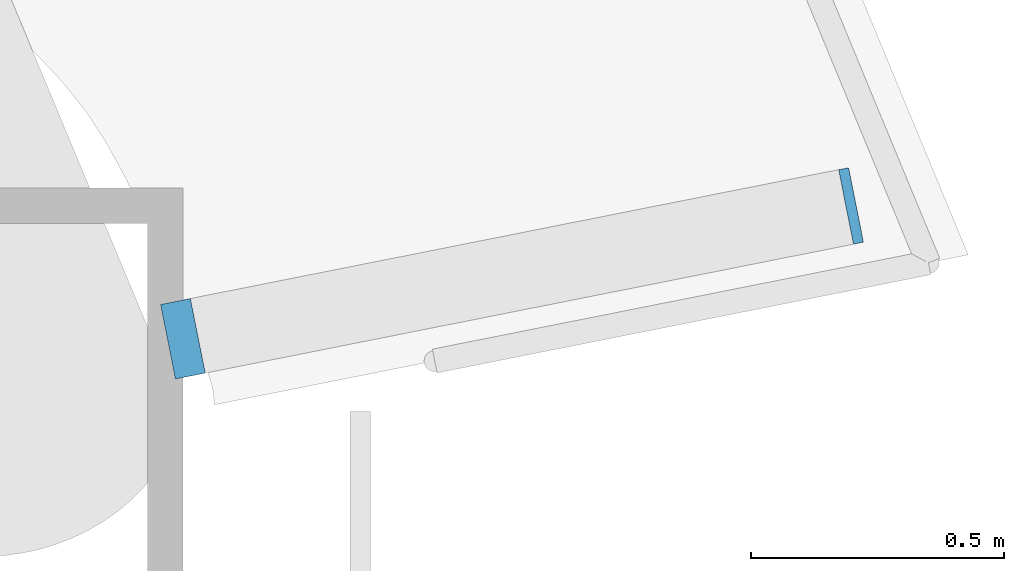
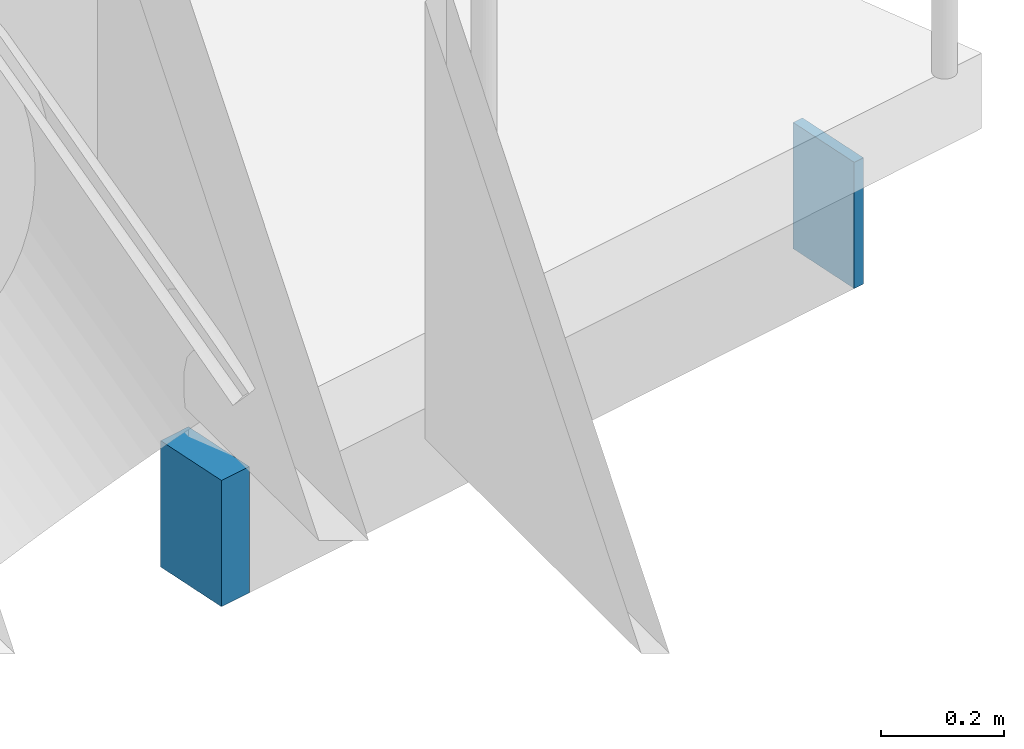
# One storey, part 22 of 30: 2 discrete accessories.
"""IFC4 building model written with IfcOpenShell, lengths in metres."""

from ifc_helpers import new_model, si_unit, direction, frame, origin, origin_2d, place, context, subcontext, project, spatial, rectangle, extrude, material, layer, layer_set, type_object, element, save


model = new_model("IFC4")

# Units and contexts
model_context = context("Model", 3, precision=1e-05, world=origin(), true_north=direction((0.0, 1.0)))
body_context = subcontext(model_context, "Body", "Model", "MODEL_VIEW")
ifc_project = project(units=[si_unit("LENGTHUNIT", "METRE"), si_unit("AREAUNIT", "SQUARE_METRE"), si_unit("VOLUMEUNIT", "CUBIC_METRE"), si_unit("PLANEANGLEUNIT", "RADIAN"), si_unit("MASSUNIT", "GRAM", prefix="KILO")], contexts=[model_context])

# Site, building, storey
site_placement = place(None, origin())
site = spatial("IfcSite", under=ifc_project, at=site_placement, CompositionType="ELEMENT")
building_placement = place(site_placement, origin())
building = spatial("IfcBuilding", under=site, at=building_placement, Name="Siwar Civic Tower", CompositionType="ELEMENT")
storey_placement = place(building_placement, frame((0.0, 0.0, 26.699951171875)))
storey = spatial("IfcBuildingStorey", under=building, at=storey_placement, Name="L05", CompositionType="ELEMENT", Elevation=26.699951171875)

# Discrete accessories
ifc_material_1 = material(Name="Stainless steel 316", Category="steel")
discrete_accessory_type_1 = type_object("IfcDiscreteAccessoryType", Name="ENV-BRACKET", PredefinedType="BRACKET", material=ifc_material_1)
discrete_accessory_1_placement = place(storey_placement, frame((32.050048828125, 22.752197265625, -0.39990234375), z_axis=(0.0, 0.0, 1.0), x_axis=(0.980785280403, 0.195090322016, 0.0)))
element("IfcDiscreteAccessory", 1, at=discrete_accessory_1_placement, inside=storey, type_object=discrete_accessory_type_1, Name="Bracket balcony cantilever beam NE 1", PredefinedType="BRACKET", context=body_context, shape_type="SweptSolid", body=[
    extrude(rectangle(XDim=0.06005859375, YDim=0.14990234375, at=origin_2d()), origin(), (0.0, 0.0, 1.0), 0.25),
])
ifc_material_2 = material(Name="Steel S355", Category="steel")
ifc_layer = layer(ifc_material_2, 0.02001953125)
ifc_layer_set = layer_set([ifc_layer], Name="Steel S355")
discrete_accessory_type_2 = type_object("IfcDiscreteAccessoryType", Name="STR-END-CAP", PredefinedType="USERDEFINED", material=ifc_layer_set)
discrete_accessory_2_placement = place(storey_placement, frame((33.36865234375, 23.014404296875, -0.39990234375), z_axis=(0.0, 0.0, 1.0), x_axis=(0.980785280277, 0.195090322649, 0.0)))
element("IfcDiscreteAccessory", 2, at=discrete_accessory_2_placement, inside=storey, type_object=discrete_accessory_type_2, Name="End cap plate Balcony cantilever beam NE 1", ObjectType="END CAP PLATE", PredefinedType="USERDEFINED", context=body_context, shape_type="SweptSolid", body=[
    extrude(rectangle(XDim=0.02001953125, YDim=0.14990234375, at=origin_2d()), origin(), (0.0, 0.0, 1.0), 0.25),
])

save(model, "model.ifc")
